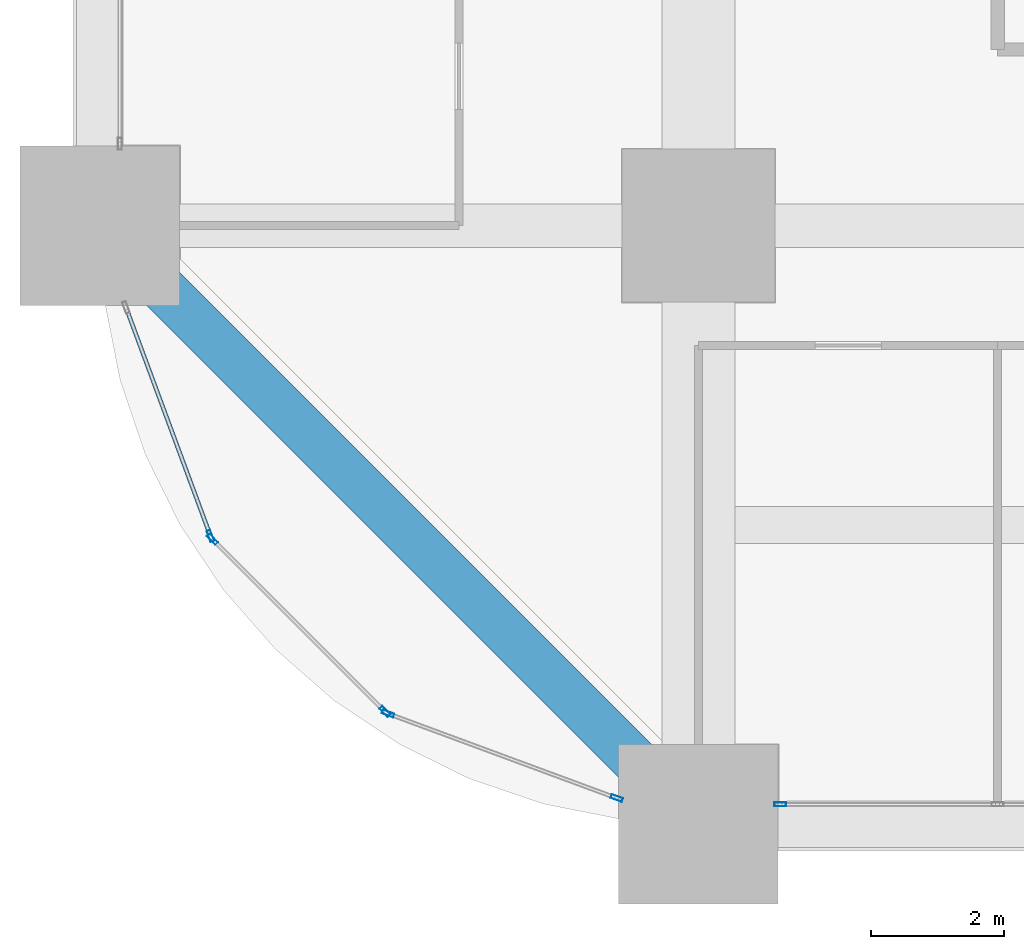
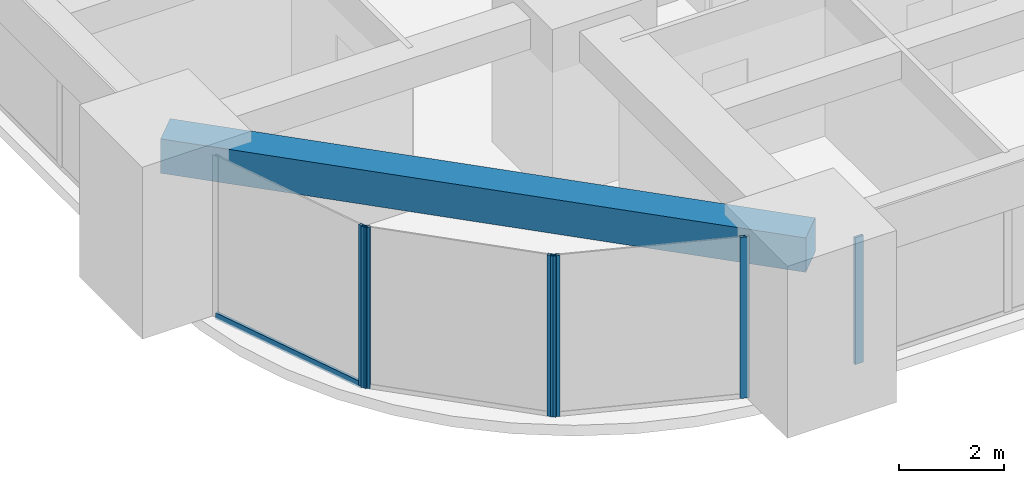
# One storey, part 2 of 44: 7 members, 1 beam, 4 elements without a shape of their own.
"""IFC4 building model written with IfcOpenShell, lengths in metres."""

from ifc_helpers import new_model, si_unit, direction, frame, origin, origin_2d, place, context, subcontext, project, spatial, rectangle, hollow_rectangle, extrude, material, material_profile, profile_set, type_object, element, aggregate, save


model = new_model("IFC4")

# Units and contexts
model_context = context("Model", 3, precision=1e-05, world=origin(), true_north=direction((0.0, 1.0)))
body_context = subcontext(model_context, "Body", "Model", "MODEL_VIEW")
ifc_project = project(units=[si_unit("LENGTHUNIT", "METRE"), si_unit("AREAUNIT", "SQUARE_METRE"), si_unit("VOLUMEUNIT", "CUBIC_METRE"), si_unit("PLANEANGLEUNIT", "RADIAN"), si_unit("MASSUNIT", "GRAM", prefix="KILO")], contexts=[model_context])

# Site, building, storey
site_placement = place(None, origin())
site = spatial("IfcSite", under=ifc_project, at=site_placement, CompositionType="ELEMENT")
building_placement = place(site_placement, origin())
building = spatial("IfcBuilding", under=site, at=building_placement, Name="Zorevar Civic Tower", CompositionType="ELEMENT")
storey_placement = place(building_placement, frame((0.0, 0.0, 35.800048828125)))
storey = spatial("IfcBuildingStorey", under=building, at=storey_placement, Name="L08", CompositionType="ELEMENT", Elevation=35.800048828125)

# Curtain wall, member
ifc_material_1 = material(Name="Dark grey solar-control glass in black aluminium frame", Category="aluminium")
curtain_wall_type = type_object("IfcCurtainWallType", Name="Curtain wall CW2 low zone", PredefinedType="NOTDEFINED", material=ifc_material_1)
curtain_wall_1_placement = place(storey_placement, origin())
curtain_wall_1 = element("IfcCurtainWall", 1, at=curtain_wall_1_placement, inside=storey, type_object=curtain_wall_type, Name="CW2 L08", PredefinedType="NOTDEFINED")
ifc_material_2 = material(Name="Aluminium, black anodised", Category="aluminium")
ifc_material_profile_1 = material_profile(ifc_material_2, hollow_rectangle(XDim=0.06005859375, YDim=0.179931640625, WallThickness=0.00390625, at=origin_2d()), Name="AL 180x60x4")
ifc_profile_set_1 = profile_set([ifc_material_profile_1], Name="Aluminium, black anodised")
member_type_1 = type_object("IfcMemberType", Name="CW2 mullion AL 180x60x4", PredefinedType="MULLION", material=ifc_profile_set_1)
member_1_placement = place(storey_placement, frame((10.22998046875, 0.300048828125, 0.0), z_axis=(0.0, 0.0, 1.0), x_axis=(0.0, 1.0, 0.0)))
member_1 = element("IfcMember", 2, at=member_1_placement, type_object=member_type_1, Name="CW2 mullion 1", PredefinedType="MULLION", context=body_context, shape_type="SweptSolid", body=[
    extrude(hollow_rectangle(XDim=0.06005859375, YDim=0.179931640625, WallThickness=0.00390625, at=origin_2d()), origin(), (0.0, 0.0, 1.0), 2.949951171875),
])
aggregate(curtain_wall_1, [member_1])

curtain_wall_2_placement = place(storey_placement, origin())
curtain_wall_2 = element("IfcCurtainWall", 3, at=curtain_wall_2_placement, inside=storey, type_object=curtain_wall_type, Name="CW2 L08", PredefinedType="NOTDEFINED")
member_2_placement = place(storey_placement, frame((1.663818359375, 4.33544921875, 0.0), z_axis=(0.0, 0.0, 1.0), x_axis=(0.937974588163, 0.346704012033, 0.0)))
member_2 = element("IfcMember", 4, at=member_2_placement, type_object=member_type_1, Name="CW2 mullion 2", PredefinedType="MULLION", context=body_context, shape_type="SweptSolid", body=[
    extrude(hollow_rectangle(XDim=0.06005859375, YDim=0.179931640625, WallThickness=0.00390625, at=origin_2d()), origin(), (0.0, 0.0, 1.0), 3.75),
])

# Curtain wall, members
curtain_wall_3_placement = place(storey_placement, origin())
curtain_wall_3 = element("IfcCurtainWall", 5, at=curtain_wall_3_placement, inside=storey, type_object=curtain_wall_type, Name="CW2 L08", PredefinedType="NOTDEFINED")
member_3_placement = place(storey_placement, frame((1.6953125, 4.2861328125, 0.0), z_axis=(0.0, 0.0, 1.0), x_axis=(0.707106781187, 0.707106781187, 0.0)))
member_3 = element("IfcMember", 6, at=member_3_placement, type_object=member_type_1, Name="CW2 mullion 1", PredefinedType="MULLION", context=body_context, shape_type="SweptSolid", body=[
    extrude(hollow_rectangle(XDim=0.06005859375, YDim=0.179931640625, WallThickness=0.00390625, at=origin_2d()), origin(), (0.0, 0.0, 1.0), 3.75),
])
member_4_placement = place(storey_placement, frame((4.2861328125, 1.6953125, 0.0), z_axis=(0.0, 0.0, 1.0), x_axis=(0.707106781187, 0.707106781187, 0.0)))
member_4 = element("IfcMember", 7, at=member_4_placement, type_object=member_type_1, Name="CW2 mullion 2", PredefinedType="MULLION", context=body_context, shape_type="SweptSolid", body=[
    extrude(hollow_rectangle(XDim=0.06005859375, YDim=0.179931640625, WallThickness=0.00390625, at=origin_2d()), origin(), (0.0, 0.0, 1.0), 3.75),
])
aggregate(curtain_wall_3, [member_3, member_4])

curtain_wall_4_placement = place(storey_placement, origin())
curtain_wall_4 = element("IfcCurtainWall", 8, at=curtain_wall_4_placement, inside=storey, type_object=curtain_wall_type, Name="CW2 L08", PredefinedType="NOTDEFINED")
member_5_placement = place(storey_placement, frame((4.33544921875, 1.663818359375, 0.0), z_axis=(0.0, 0.0, 1.0), x_axis=(0.346704012033, 0.937974588163, 0.0)))
member_5 = element("IfcMember", 9, at=member_5_placement, type_object=member_type_1, Name="CW2 mullion 1", PredefinedType="MULLION", context=body_context, shape_type="SweptSolid", body=[
    extrude(hollow_rectangle(XDim=0.06005859375, YDim=0.179931640625, WallThickness=0.00390625, at=origin_2d()), origin(), (0.0, 0.0, 1.0), 3.75),
])
member_6_placement = place(storey_placement, frame((7.77197265625, 0.3935546875, 0.0), z_axis=(0.0, 0.0, 1.0), x_axis=(0.346704012033, 0.937974588163, 0.0)))
member_6 = element("IfcMember", 10, at=member_6_placement, type_object=member_type_1, Name="CW2 mullion 2", PredefinedType="MULLION", context=body_context, shape_type="SweptSolid", body=[
    extrude(hollow_rectangle(XDim=0.06005859375, YDim=0.179931640625, WallThickness=0.00390625, at=origin_2d()), origin(), (0.0, 0.0, 1.0), 3.75),
])
aggregate(curtain_wall_4, [member_5, member_6])

# Member
ifc_material_3 = material(Name="Aluminium, black anodised", Category="aluminium")
ifc_material_profile_2 = material_profile(ifc_material_3, hollow_rectangle(XDim=0.06005859375, YDim=0.14990234375, WallThickness=0.00390625, at=origin_2d()), Name="AL 150x60x4")
ifc_profile_set_2 = profile_set([ifc_material_profile_2], Name="Aluminium, black anodised")
member_type_2 = type_object("IfcMemberType", Name="CW2 transom AL 150x60x4", PredefinedType="USERDEFINED", material=ifc_profile_set_2)
member_7_placement = place(storey_placement, frame((0.404052734375, 7.74365234375, 0.030029296875), z_axis=(0.346672169799, -0.93798635741, 0.0), x_axis=(0.93798635741, 0.346672169799, 0.0)))
member_7 = element("IfcMember", 11, at=member_7_placement, type_object=member_type_2, Name="CW2 sill transom", ObjectType="TRANSOM", PredefinedType="USERDEFINED", context=body_context, shape_type="SweptSolid", body=[
    extrude(hollow_rectangle(XDim=0.06005859375, YDim=0.14990234375, WallThickness=0.00390625, at=origin_2d()), origin(), (0.0, 0.0, 1.0), 3.603515625),
])

aggregate(curtain_wall_2, [member_2, member_7])

# Beam
ifc_material_4 = material(Name="Concrete C50/60", Category="concrete")
ifc_material_profile_3 = material_profile(ifc_material_4, rectangle(XDim=0.699951171875, YDim=0.800048828125, at=origin_2d()), Name="RC 700x800")
ifc_profile_set_3 = profile_set([ifc_material_profile_3], Name="Concrete C50/60")
beam_type = type_object("IfcBeamType", Name="Edge beam RC 700x800", PredefinedType="SPANDREL", material=ifc_profile_set_3)
beam_placement = place(storey_placement, frame((0.0, 9.0, 3.349853515625), z_axis=(0.707106781187, -0.707106781187, 0.0), x_axis=(0.707106781187, 0.707106781187, 0.0)))
element("IfcBeam", 12, at=beam_placement, inside=storey, type_object=beam_type, Name="Corner edge beam L09", PredefinedType="SPANDREL", context=body_context, shape_type="SweptSolid", body=[
    extrude(rectangle(XDim=0.699951171875, YDim=0.800048828125, at=origin_2d()), origin(), (0.0, 0.0, 1.0), 12.72802734375),
])

save(model, "model.ifc")
